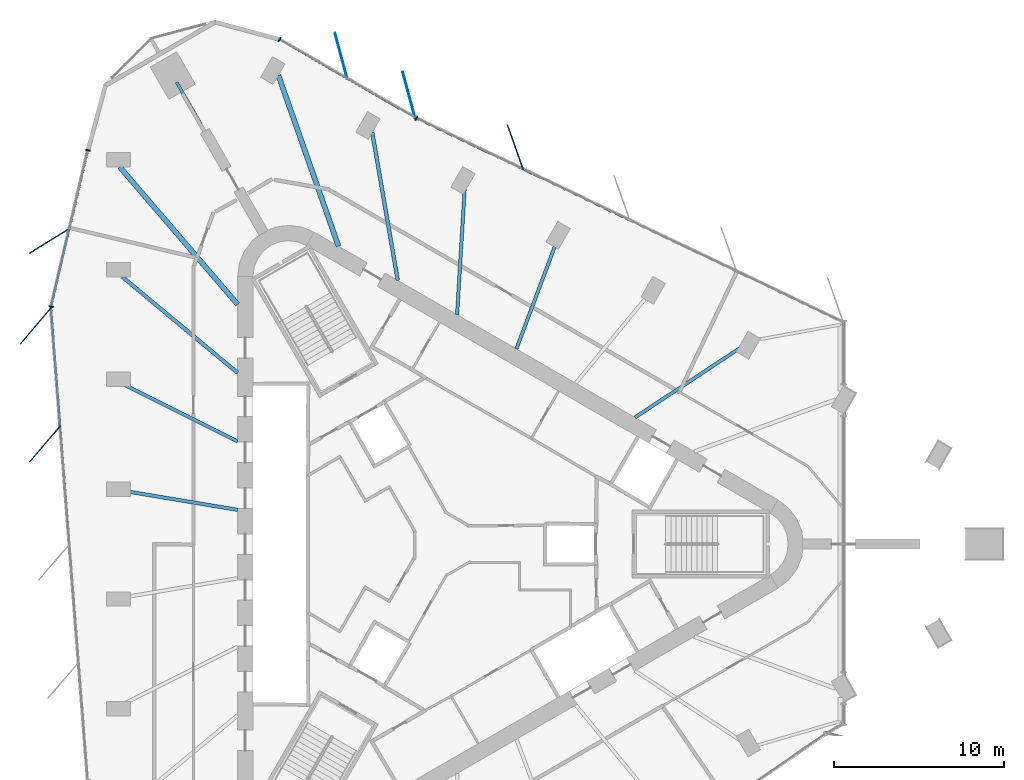
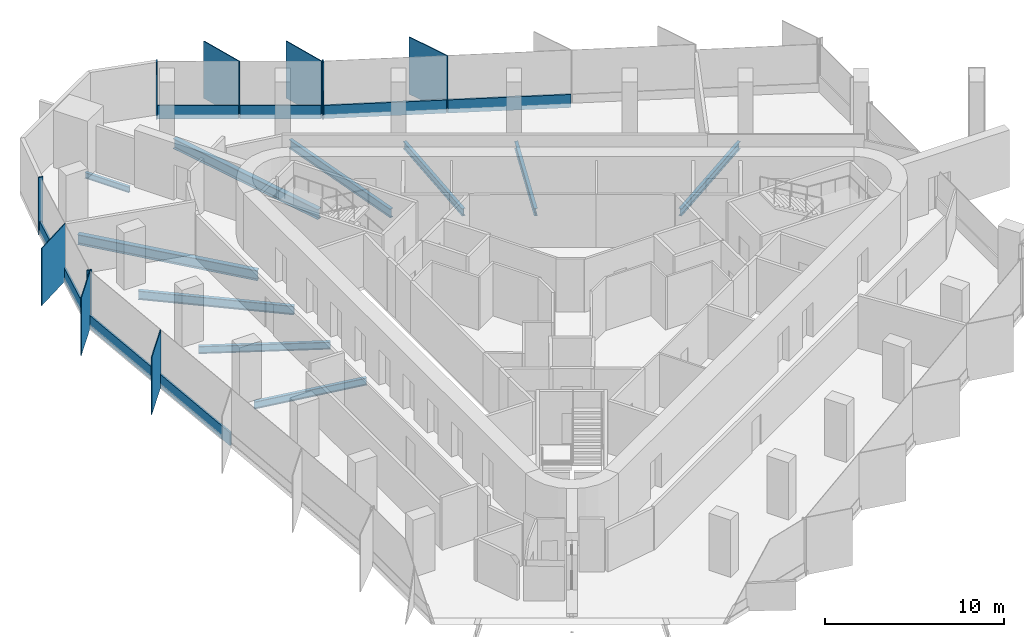
# One storey, part 4 of 12: 18 members, 10 beams, 4 elements without a shape of their own.
"""IFC4 building model written with IfcOpenShell, lengths in metres."""

from ifc_helpers import new_model, si_unit, direction, frame, origin, origin_2d, place, context, subcontext, project, spatial, rectangle, i_section, extrude, material, material_profile, profile_set, type_object, element, aggregate, save


model = new_model("IFC4")

# Units and contexts
model_context = context("Model", 3, precision=1e-05, world=origin(), true_north=direction((0.0, 1.0)))
body_context = subcontext(model_context, "Body", "Model", "MODEL_VIEW")
ifc_project = project(units=[si_unit("LENGTHUNIT", "METRE"), si_unit("AREAUNIT", "SQUARE_METRE"), si_unit("VOLUMEUNIT", "CUBIC_METRE"), si_unit("PLANEANGLEUNIT", "RADIAN"), si_unit("MASSUNIT", "GRAM", prefix="KILO")], contexts=[model_context])

# Site, building, storey
site_placement = place(None, origin())
site = spatial("IfcSite", under=ifc_project, at=site_placement, CompositionType="ELEMENT")
building_placement = place(site_placement, origin())
building = spatial("IfcBuilding", under=site, at=building_placement, Name="Tanit Gate Tower", CompositionType="ELEMENT")
storey_placement = place(building_placement, frame((0.0, 0.0, 368.89990234375)))
storey = spatial("IfcBuildingStorey", under=building, at=storey_placement, Name="L84", CompositionType="ELEMENT", Elevation=368.89990234375)

# Curtain wall, member
ifc_material_1 = material(Name="Aluminium bronze anodised and glass", Category="aluminium")
curtain_wall_type = type_object("IfcCurtainWallType", Name="Curtain wall typical high", PredefinedType="NOTDEFINED", material=ifc_material_1)
curtain_wall_1_placement = place(storey_placement, origin())
curtain_wall_1 = element("IfcCurtainWall", 1, at=curtain_wall_1_placement, inside=storey, type_object=curtain_wall_type, Name="Curtain wall L84 NE2c", PredefinedType="NOTDEFINED")
ifc_material_2 = material(Name="Aluminium bronze anodised", Category="aluminium")
ifc_material_profile_1 = material_profile(ifc_material_2, rectangle(XDim=2.800048828125, YDim=0.055908203125, at=origin_2d()), Name="56x2800 bronze fin mullion")
ifc_profile_set_1 = profile_set([ifc_material_profile_1], Name="Aluminium bronze anodised")
member_type_1 = type_object("IfcMemberType", Name="FIN MULLION 56x2800 bronze", PredefinedType="MULLION", material=ifc_profile_set_1)
member_1_placement = place(storey_placement, frame((4.23779296875, 23.365478515625, -0.2998046875), z_axis=(0.0, 0.0, 1.0), x_axis=(0.333090099539, -0.94289500242, 0.0)))
member_1 = element("IfcMember", 2, at=member_1_placement, type_object=member_type_1, Name="Fin mullion L84 NE2c.4", PredefinedType="MULLION", context=body_context, shape_type="SweptSolid", body=[
    extrude(rectangle(XDim=2.800048828125, YDim=0.055908203125, at=origin_2d()), origin(), (0.0, 0.0, 1.0), 3.89990234375),
])

# Curtain wall, members
curtain_wall_2_placement = place(storey_placement, origin())
curtain_wall_2 = element("IfcCurtainWall", 3, at=curtain_wall_2_placement, inside=storey, type_object=curtain_wall_type, Name="Curtain wall L84 NE3", PredefinedType="NOTDEFINED")
member_2_placement = place(storey_placement, frame((-2.0146484375, 26.436279296875, -0.2998046875), z_axis=(0.0, 0.0, 1.0), x_axis=(0.260143837676, -0.96556987511, 0.0)))
member_2 = element("IfcMember", 4, at=member_2_placement, type_object=member_type_1, Name="Fin mullion L84 NE3.1", PredefinedType="MULLION", context=body_context, shape_type="SweptSolid", body=[
    extrude(rectangle(XDim=2.800048828125, YDim=0.055908203125, at=origin_2d()), origin(), (0.0, 0.0, 1.0), 3.89990234375),
])
member_3_placement = place(storey_placement, frame((-6.00537109375, 28.733154296875, -0.2998046875), z_axis=(0.0, 0.0, 1.0), x_axis=(0.260143837676, -0.96556987511, 0.0)))
member_3 = element("IfcMember", 5, at=member_3_placement, type_object=member_type_1, Name="Fin mullion L84 NE3.2", PredefinedType="MULLION", context=body_context, shape_type="SweptSolid", body=[
    extrude(rectangle(XDim=2.800048828125, YDim=0.055908203125, at=origin_2d()), origin(), (0.0, 0.0, 1.0), 3.89990234375),
])

# Curtain wall, member
curtain_wall_3_placement = place(storey_placement, origin())
curtain_wall_3 = element("IfcCurtainWall", 6, at=curtain_wall_3_placement, inside=storey, type_object=curtain_wall_type, Name="Curtain wall L84 W1", PredefinedType="NOTDEFINED")
member_4_placement = place(storey_placement, frame((-23.168212890625, 17.8544921875, -0.2998046875), z_axis=(0.0, 0.0, 1.0), x_axis=(0.850209270383, 0.526444865637, 0.0)))
member_4 = element("IfcMember", 7, at=member_4_placement, type_object=member_type_1, Name="Fin mullion L84 W1.2", PredefinedType="MULLION", context=body_context, shape_type="SweptSolid", body=[
    extrude(rectangle(XDim=2.800048828125, YDim=0.055908203125, at=origin_2d()), origin(), (0.0, 0.0, 1.0), 3.89990234375),
])

# Curtain wall, members
curtain_wall_4_placement = place(storey_placement, origin())
curtain_wall_4 = element("IfcCurtainWall", 8, at=curtain_wall_4_placement, inside=storey, type_object=curtain_wall_type, Name="Curtain wall L84 W2", PredefinedType="NOTDEFINED")
member_5_placement = place(storey_placement, frame((-23.980224609375, 12.852294921875, -0.2998046875), z_axis=(0.0, 0.0, 1.0), x_axis=(0.650025975428, 0.75991198916, 0.0)))
member_5 = element("IfcMember", 9, at=member_5_placement, type_object=member_type_1, Name="Fin mullion L84 W2.1", PredefinedType="MULLION", context=body_context, shape_type="SweptSolid", body=[
    extrude(rectangle(XDim=2.800048828125, YDim=0.055908203125, at=origin_2d()), origin(), (0.0, 0.0, 1.0), 3.89990234375),
])
member_6_placement = place(storey_placement, frame((-23.438232421875, 5.900634765625, -0.2998046875), z_axis=(0.0, 0.0, 1.0), x_axis=(0.650025975428, 0.75991198916, 0.0)))
member_6 = element("IfcMember", 10, at=member_6_placement, type_object=member_type_1, Name="Fin mullion L84 W2.2", PredefinedType="MULLION", context=body_context, shape_type="SweptSolid", body=[
    extrude(rectangle(XDim=2.800048828125, YDim=0.055908203125, at=origin_2d()), origin(), (0.0, 0.0, 1.0), 3.89990234375),
])

# Member
ifc_material_3 = material(Name="Aluminium bronze anodised", Category="aluminium")
ifc_material_profile_2 = material_profile(ifc_material_3, rectangle(XDim=0.280029296875, YDim=0.080078125, at=origin_2d()), Name="80x280 bronze mullion")
ifc_profile_set_2 = profile_set([ifc_material_profile_2], Name="Aluminium bronze anodised")
member_type_2 = type_object("IfcMemberType", Name="Mullion 80x280 typical high", PredefinedType="MULLION", material=ifc_profile_set_2)
member_7_placement = place(storey_placement, frame((-1.584716796875, 25.06640625, -0.2998046875), z_axis=(0.0, 0.0, 1.0), x_axis=(-0.431197182029, -0.902257718288, 0.0)))
member_7 = element("IfcMember", 11, at=member_7_placement, type_object=member_type_2, Name="Mullion L84 NE2c.5", PredefinedType="MULLION", context=body_context, shape_type="SweptSolid", body=[
    extrude(rectangle(XDim=0.280029296875, YDim=0.080078125, at=origin_2d()), origin(), (0.0, 0.0, 1.0), 3.89990234375),
])

member_8_placement = place(storey_placement, frame((-9.63720703125, 29.697265625, -0.2998046875), z_axis=(0.0, 0.0, 1.0), x_axis=(-0.498811534695, -0.866710478104, 0.0)))
member_8 = element("IfcMember", 12, at=member_8_placement, type_object=member_type_2, Name="Mullion L84 NE3.3", PredefinedType="MULLION", context=body_context, shape_type="SweptSolid", body=[
    extrude(rectangle(XDim=0.280029296875, YDim=0.080078125, at=origin_2d()), origin(), (0.0, 0.0, 1.0), 3.89990234375),
])

member_9_placement = place(storey_placement, frame((-20.91259765625, 23.182373046875, -0.2998046875), z_axis=(0.0, 0.0, 1.0), x_axis=(0.973441474928, -0.228936006103, 0.0)))
member_9 = element("IfcMember", 13, at=member_9_placement, type_object=member_type_2, Name="Mullion L84 W1.1", PredefinedType="MULLION", context=body_context, shape_type="SweptSolid", body=[
    extrude(rectangle(XDim=0.280029296875, YDim=0.080078125, at=origin_2d()), origin(), (0.0, 0.0, 1.0), 3.89990234375),
])

member_10_placement = place(storey_placement, frame((-23.076904296875, 13.97998046875, -0.2998046875), z_axis=(0.0, 0.0, 1.0), x_axis=(0.973441474928, -0.228936006103, 0.0)))
member_10 = element("IfcMember", 14, at=member_10_placement, type_object=member_type_2, Name="Mullion L84 W1.3", PredefinedType="MULLION", context=body_context, shape_type="SweptSolid", body=[
    extrude(rectangle(XDim=0.280029296875, YDim=0.080078125, at=origin_2d()), origin(), (0.0, 0.0, 1.0), 3.89990234375),
])

# Beams
ifc_material_4 = material(Name="Steel S355", Category="steel")
ifc_material_profile_3 = material_profile(ifc_material_4, i_section(OverallWidth=0.300048828125, OverallDepth=0.68994140625, WebThickness=0.014404296875, FlangeThickness=0.027099609375, FilletRadius=0.027099609375, at=origin_2d()), Name="HEA 700")
ifc_profile_set_3 = profile_set([ifc_material_profile_3], Name="Steel S355")
beam_type_1 = type_object("IfcBeamType", Name="RADIAL GIRDER HEA 700 S355", PredefinedType="BEAM", material=ifc_profile_set_3)
beam_1_placement = place(storey_placement, frame((-9.703857421875, 27.589599609375, -0.64501953125), z_axis=(0.331790708443, -0.943353022887, 0.0), x_axis=(0.943353022887, 0.331790708443, 0.0)))
element("IfcBeam", 15, at=beam_1_placement, inside=storey, type_object=beam_type_1, Name="RADIAL GIRDER", PredefinedType="BEAM", context=body_context, shape_type="SweptSolid", body=[
    extrude(i_section(OverallWidth=0.300048828125, OverallDepth=0.68994140625, WebThickness=0.014404296875, FlangeThickness=0.027099609375, FilletRadius=0.027099609375, at=origin_2d()), origin(), (0.0, 0.0, 1.0), 10.658447265625),
])
beam_2_placement = place(storey_placement, frame((-19.041259765625, 22.198486328125, -0.64501953125), z_axis=(0.651064859014, -0.759022100704, 0.0), x_axis=(0.759022100704, 0.651064859014, 0.0)))
element("IfcBeam", 16, at=beam_2_placement, inside=storey, type_object=beam_type_1, Name="RADIAL GIRDER", PredefinedType="BEAM", context=body_context, shape_type="SweptSolid", body=[
    extrude(i_section(OverallWidth=0.300048828125, OverallDepth=0.68994140625, WebThickness=0.014404296875, FlangeThickness=0.027099609375, FilletRadius=0.027099609375, at=origin_2d()), origin(), (0.0, 0.0, 1.0), 10.658203125),
])
ifc_material_5 = material(Name="Steel S355", Category="steel")
ifc_material_profile_4 = material_profile(ifc_material_5, i_section(OverallWidth=0.179931640625, OverallDepth=0.39990234375, WebThickness=0.008544921875, FlangeThickness=0.013427734375, FilletRadius=0.02099609375, at=origin_2d()), Name="IPE 400")
ifc_profile_set_4 = profile_set([ifc_material_profile_4], Name="Steel S355")
beam_type_2 = type_object("IfcBeamType", Name="RADIAL GIRDER IPE 400 S355", PredefinedType="BEAM", material=ifc_profile_set_4)
beam_3_placement = place(storey_placement, frame((-15.69580078125, 27.185791015625, -0.5), z_axis=(0.500068051468, -0.865986110686, 0.0), x_axis=(0.865986110686, 0.500068051468, 0.0)))
element("IfcBeam", 17, at=beam_3_placement, inside=storey, type_object=beam_type_2, Name="RADIAL GIRDER", PredefinedType="BEAM", context=body_context, shape_type="SweptSolid", body=[
    extrude(i_section(OverallWidth=0.179931640625, OverallDepth=0.39990234375, WebThickness=0.008544921875, FlangeThickness=0.013427734375, FilletRadius=0.02099609375, at=origin_2d()), origin(), (0.0, 0.0, 1.0), 2.853515625),
])
ifc_material_6 = material(Name="Steel S355", Category="steel")
ifc_material_profile_5 = material_profile(ifc_material_6, i_section(OverallWidth=0.199951171875, OverallDepth=0.5, WebThickness=0.01025390625, FlangeThickness=0.01611328125, FilletRadius=0.02099609375, at=origin_2d()), Name="IPE 500")
ifc_profile_set_5 = profile_set([ifc_material_profile_5], Name="Steel S355")
beam_type_3 = type_object("IfcBeamType", Name="RADIAL GIRDER IPE 500 S355", PredefinedType="BEAM", material=ifc_profile_set_5)
beam_4_placement = place(storey_placement, frame((17.447021484375, 11.526611328125, -0.5498046875), z_axis=(-0.834352975329, -0.551230543929, 0.0), x_axis=(0.551230543929, -0.834352975329, 0.0)))
element("IfcBeam", 18, at=beam_4_placement, inside=storey, type_object=beam_type_3, Name="RADIAL GIRDER", PredefinedType="BEAM", context=body_context, shape_type="SweptSolid", body=[
    extrude(i_section(OverallWidth=0.199951171875, OverallDepth=0.5, WebThickness=0.01025390625, FlangeThickness=0.01611328125, FilletRadius=0.02099609375, at=origin_2d()), origin(), (0.0, 0.0, 1.0), 7.38232421875),
])
beam_5_placement = place(storey_placement, frame((6.655029296875, 17.75732421875, -0.5498046875), z_axis=(-0.350955589185, -0.93639210506, 0.0), x_axis=(0.93639210506, -0.350955589185, 0.0)))
element("IfcBeam", 19, at=beam_5_placement, inside=storey, type_object=beam_type_3, Name="RADIAL GIRDER", PredefinedType="BEAM", context=body_context, shape_type="SweptSolid", body=[
    extrude(i_section(OverallWidth=0.199951171875, OverallDepth=0.5, WebThickness=0.01025390625, FlangeThickness=0.01611328125, FilletRadius=0.02099609375, at=origin_2d()), origin(), (0.0, 0.0, 1.0), 6.69482421875),
])
beam_6_placement = place(storey_placement, frame((1.259033203125, 20.872802734375, -0.5498046875), z_axis=(-0.060222471201, -0.998184979832, 0.0), x_axis=(0.998184979832, -0.060222471201, 0.0)))
element("IfcBeam", 20, at=beam_6_placement, inside=storey, type_object=beam_type_3, Name="RADIAL GIRDER", PredefinedType="BEAM", context=body_context, shape_type="SweptSolid", body=[
    extrude(i_section(OverallWidth=0.199951171875, OverallDepth=0.5, WebThickness=0.01025390625, FlangeThickness=0.01611328125, FilletRadius=0.02099609375, at=origin_2d()), origin(), (0.0, 0.0, 1.0), 7.38232421875),
])
beam_7_placement = place(storey_placement, frame((-18.705810546875, 9.34619140625, -0.5498046875), z_axis=(0.894552827641, -0.44696223393, 0.0), x_axis=(0.44696223393, 0.894552827641, 0.0)))
element("IfcBeam", 21, at=beam_7_placement, inside=storey, type_object=beam_type_3, Name="RADIAL GIRDER", PredefinedType="BEAM", context=body_context, shape_type="SweptSolid", body=[
    extrude(i_section(OverallWidth=0.199951171875, OverallDepth=0.5, WebThickness=0.01025390625, FlangeThickness=0.01611328125, FilletRadius=0.02099609375, at=origin_2d()), origin(), (0.0, 0.0, 1.0), 7.382080078125),
])
beam_8_placement = place(storey_placement, frame((-18.705810546875, 3.115234375, -0.5498046875), z_axis=(0.986412644048, -0.164286626546, 0.0), x_axis=(0.164286626546, 0.986412644048, 0.0)))
element("IfcBeam", 22, at=beam_8_placement, inside=storey, type_object=beam_type_3, Name="RADIAL GIRDER", PredefinedType="BEAM", context=body_context, shape_type="SweptSolid", body=[
    extrude(i_section(OverallWidth=0.199951171875, OverallDepth=0.5, WebThickness=0.01025390625, FlangeThickness=0.01611328125, FilletRadius=0.02099609375, at=origin_2d()), origin(), (0.0, 0.0, 1.0), 6.69482421875),
])
ifc_material_7 = material(Name="Steel S355", Category="steel")
ifc_material_profile_6 = material_profile(ifc_material_7, i_section(OverallWidth=0.219970703125, OverallDepth=0.60009765625, WebThickness=0.011962890625, FlangeThickness=0.01904296875, FilletRadius=0.02392578125, at=origin_2d()), Name="IPE 600")
ifc_profile_set_6 = profile_set([ifc_material_profile_6], Name="Steel S355")
beam_type_4 = type_object("IfcBeamType", Name="RADIAL GIRDER IPE 600 S355", PredefinedType="BEAM", material=ifc_profile_set_6)
beam_9_placement = place(storey_placement, frame((-4.178955078125, 24.231201171875, -0.599853515625), z_axis=(0.169949456618, -0.985452780297, 0.0), x_axis=(0.985452780297, 0.169949456618, 0.0)))
element("IfcBeam", 23, at=beam_9_placement, inside=storey, type_object=beam_type_4, Name="RADIAL GIRDER", PredefinedType="BEAM", context=body_context, shape_type="SweptSolid", body=[
    extrude(i_section(OverallWidth=0.219970703125, OverallDepth=0.60009765625, WebThickness=0.011962890625, FlangeThickness=0.01904296875, FilletRadius=0.02392578125, at=origin_2d()), origin(), (0.0, 0.0, 1.0), 8.840576171875),
])
beam_10_placement = place(storey_placement, frame((-18.8955078125, 15.734619140625, -0.599853515625), z_axis=(0.768456646973, -0.639901853195, 0.0), x_axis=(0.639901853195, 0.768456646973, 0.0)))
element("IfcBeam", 24, at=beam_10_placement, inside=storey, type_object=beam_type_4, Name="RADIAL GIRDER", PredefinedType="BEAM", context=body_context, shape_type="SweptSolid", body=[
    extrude(i_section(OverallWidth=0.219970703125, OverallDepth=0.60009765625, WebThickness=0.011962890625, FlangeThickness=0.01904296875, FilletRadius=0.02392578125, at=origin_2d()), origin(), (0.0, 0.0, 1.0), 8.84033203125),
])

# Member
ifc_material_8 = material(Name="Aluminium bronze anodised", Category="aluminium")
ifc_material_profile_7 = material_profile(ifc_material_8, rectangle(XDim=0.1201171875, YDim=0.89990234375, at=origin_2d()), Name="120x900 bronze transom")
ifc_profile_set_7 = profile_set([ifc_material_profile_7], Name="Aluminium bronze anodised")
member_type_3 = type_object("IfcMemberType", Name="Transom 120x900 typical high", PredefinedType="USERDEFINED", material=ifc_profile_set_7)
member_11_placement = place(storey_placement, frame((10.94384765625, 19.078857421875, 0.150146484375), z_axis=(-0.902251839546, 0.431209482776, 0.0), x_axis=(-0.431209482776, -0.902251839546, 0.0)))
member_11 = element("IfcMember", 25, at=member_11_placement, type_object=member_type_3, Name="Transom L84 NE2c.3", ObjectType="TRANSOM", PredefinedType="USERDEFINED", context=body_context, shape_type="SweptSolid", body=[
    extrude(rectangle(XDim=0.1201171875, YDim=0.89990234375, at=origin_2d()), origin(), (0.0, 0.0, 1.0), 6.883056640625),
])

member_12_placement = place(storey_placement, frame((4.661376953125, 22.081298828125, 0.150146484375), z_axis=(-0.902251839546, 0.431209482776, 0.0), x_axis=(-0.431209482776, -0.902251839546, 0.0)))
member_12 = element("IfcMember", 26, at=member_12_placement, type_object=member_type_3, Name="Transom L84 NE2c.4", ObjectType="TRANSOM", PredefinedType="USERDEFINED", context=body_context, shape_type="SweptSolid", body=[
    extrude(rectangle(XDim=0.1201171875, YDim=0.89990234375, at=origin_2d()), origin(), (0.0, 0.0, 1.0), 6.883056640625),
])

aggregate(curtain_wall_1, [member_1, member_7, member_11, member_12])

member_13_placement = place(storey_placement, frame((-1.690185546875, 25.12353515625, 0.150146484375), z_axis=(-0.866711533499, 0.498809700888, 0.0), x_axis=(-0.498809700888, -0.866711533499, 0.0)))
member_13 = element("IfcMember", 27, at=member_13_placement, type_object=member_type_3, Name="Transom L84 NE3.1", ObjectType="TRANSOM", PredefinedType="USERDEFINED", context=body_context, shape_type="SweptSolid", body=[
    extrude(rectangle(XDim=0.1201171875, YDim=0.89990234375, at=origin_2d()), origin(), (0.0, 0.0, 1.0), 4.5244140625),
])

member_14_placement = place(storey_placement, frame((-5.680908203125, 27.42041015625, 0.150146484375), z_axis=(-0.866724958498, 0.498786373427, 0.0), x_axis=(-0.498786373427, -0.866724958498, 0.0)))
member_14 = element("IfcMember", 28, at=member_14_placement, type_object=member_type_3, Name="Transom L84 NE3.2", ObjectType="TRANSOM", PredefinedType="USERDEFINED", context=body_context, shape_type="SweptSolid", body=[
    extrude(rectangle(XDim=0.1201171875, YDim=0.89990234375, at=origin_2d()), origin(), (0.0, 0.0, 1.0), 4.524658203125),
])

aggregate(curtain_wall_2, [member_2, member_3, member_8, member_13, member_14])

member_15_placement = place(storey_placement, frame((-20.921875, 23.143310546875, 0.150146484375), z_axis=(-0.228925118087, -0.97344403553, 0.0), x_axis=(0.97344403553, -0.228925118087, 0.0)))
member_15 = element("IfcMember", 29, at=member_15_placement, type_object=member_type_3, Name="Transom L84 W1.1", ObjectType="TRANSOM", PredefinedType="USERDEFINED", context=body_context, shape_type="SweptSolid", body=[
    extrude(rectangle(XDim=0.1201171875, YDim=0.89990234375, at=origin_2d()), origin(), (0.0, 0.0, 1.0), 4.646484375),
])

member_16_placement = place(storey_placement, frame((-22.00390625, 18.542236328125, 0.150146484375), z_axis=(-0.228913409925, -0.973446788867, 0.0), x_axis=(0.973446788867, -0.228913409925, 0.0)))
member_16 = element("IfcMember", 30, at=member_16_placement, type_object=member_type_3, Name="Transom L84 W1.2", ObjectType="TRANSOM", PredefinedType="USERDEFINED", context=body_context, shape_type="SweptSolid", body=[
    extrude(rectangle(XDim=0.1201171875, YDim=0.89990234375, at=origin_2d()), origin(), (0.0, 0.0, 1.0), 4.646728515625),
])

aggregate(curtain_wall_3, [member_9, member_4, member_10, member_15, member_16])

member_17_placement = place(storey_placement, frame((-23.079833984375, 13.861328125, 0.150146484375), z_axis=(0.077709444771, -0.996976048957, 0.0), x_axis=(0.996976048957, 0.077709444771, 0.0)))
member_17 = element("IfcMember", 31, at=member_17_placement, type_object=member_type_3, Name="Transom L84 W2.1", ObjectType="TRANSOM", PredefinedType="USERDEFINED", context=body_context, shape_type="SweptSolid", body=[
    extrude(rectangle(XDim=0.1201171875, YDim=0.89990234375, at=origin_2d()), origin(), (0.0, 0.0, 1.0), 6.892822265625),
])

member_18_placement = place(storey_placement, frame((-22.5380859375, 6.909423828125, 0.150146484375), z_axis=(0.077712188941, -0.996975835058, 0.0), x_axis=(0.996975835058, 0.077712188941, 0.0)))
member_18 = element("IfcMember", 32, at=member_18_placement, type_object=member_type_3, Name="Transom L84 W2.2", ObjectType="TRANSOM", PredefinedType="USERDEFINED", context=body_context, shape_type="SweptSolid", body=[
    extrude(rectangle(XDim=0.1201171875, YDim=0.89990234375, at=origin_2d()), origin(), (0.0, 0.0, 1.0), 6.892578125),
])

aggregate(curtain_wall_4, [member_5, member_6, member_17, member_18])

save(model, "model.ifc")
